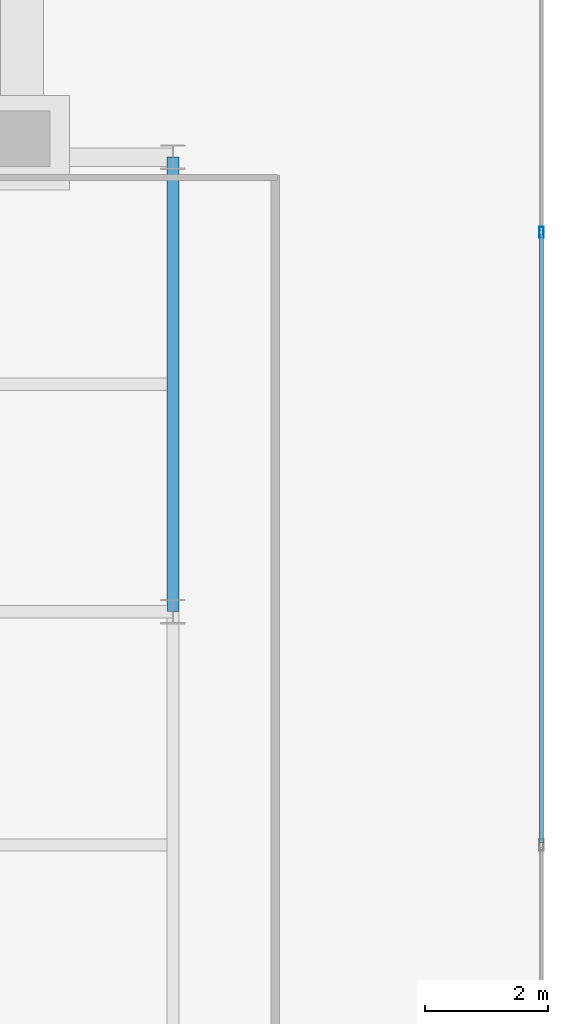
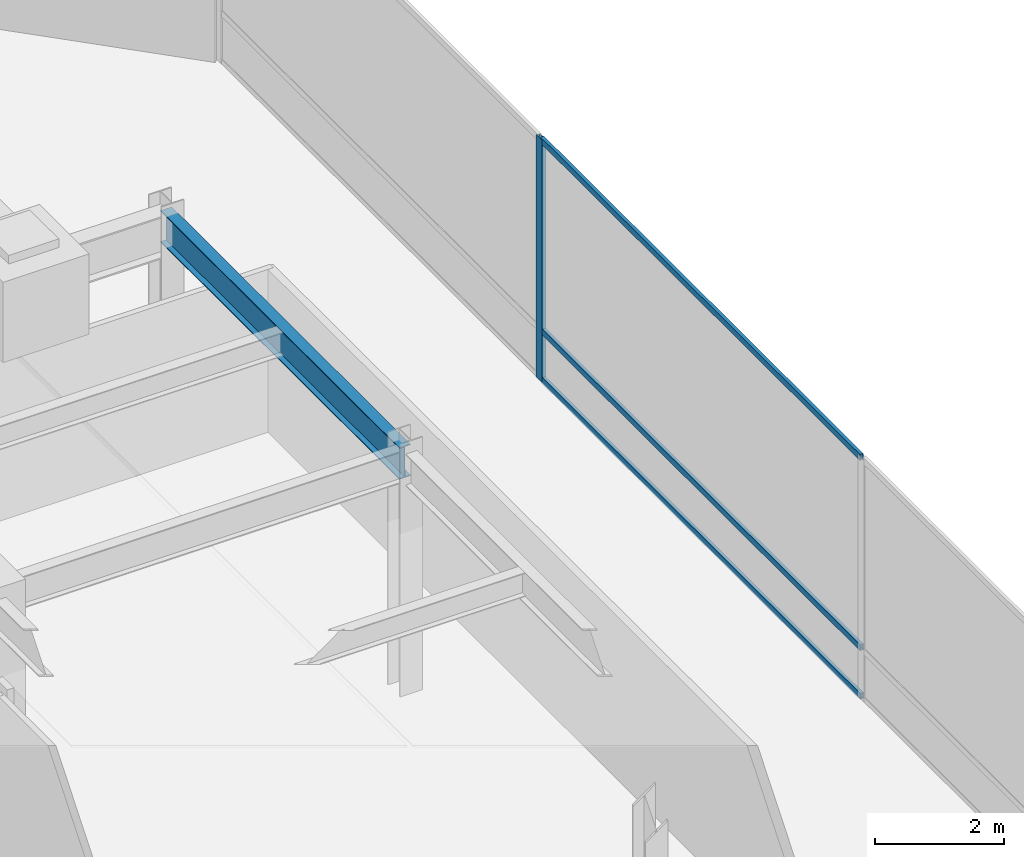
# One storey, part 28 of 45: 4 members, 1 beam, 1 element without a shape of its own.
"""IFC4 building model written with IfcOpenShell, lengths in metres."""

from ifc_helpers import new_model, si_unit, direction, frame, origin, origin_2d, place, context, subcontext, project, spatial, hollow_rectangle, i_section, extrude, material, layer, layer_set, material_profile, profile_set, type_object, element, aggregate, save


model = new_model("IFC4")

# Units and contexts
model_context = context("Model", 3, precision=1e-05, world=origin(), true_north=direction((0.0, 1.0)))
body_context = subcontext(model_context, "Body", "Model", "MODEL_VIEW")
ifc_project = project(units=[si_unit("LENGTHUNIT", "METRE"), si_unit("AREAUNIT", "SQUARE_METRE"), si_unit("VOLUMEUNIT", "CUBIC_METRE"), si_unit("PLANEANGLEUNIT", "RADIAN"), si_unit("MASSUNIT", "GRAM", prefix="KILO")], contexts=[model_context])

# Site, building, storey
site_placement = place(None, origin())
site = spatial("IfcSite", under=ifc_project, at=site_placement, CompositionType="ELEMENT")
building_placement = place(site_placement, origin())
building = spatial("IfcBuilding", under=site, at=building_placement, Name="Qianvela Tower", CompositionType="ELEMENT")
storey_placement = place(building_placement, frame((0.0, 0.0, 11.0)))
storey = spatial("IfcBuildingStorey", under=building, at=storey_placement, Name="L02", CompositionType="ELEMENT", Elevation=11.0)

# Beam
ifc_material_1 = material(Name="Steel Q355B", Category="steel")
ifc_material_profile_1 = material_profile(ifc_material_1, i_section(OverallWidth=0.199951171875, OverallDepth=0.60009765625, WebThickness=0.010986328125, FlangeThickness=0.01708984375, at=origin_2d()), Name="HN600x200x11x17")
ifc_profile_set_1 = profile_set([ifc_material_profile_1], Name="Steel Q355B")
beam_type = type_object("IfcBeamType", Name="BM-HN600-GIRD", PredefinedType="BEAM", material=ifc_profile_set_1)
beam_placement = place(storey_placement, frame((67.5, 29.800048828125, 4.278076171875), z_axis=(0.0, 1.0, 0.0), x_axis=(-1.0, 0.0, 0.0)))
element("IfcBeam", 1, at=beam_placement, inside=storey, type_object=beam_type, Name="L02 North-South Grid Girder 34", PredefinedType="BEAM", context=body_context, shape_type="SweptSolid", body=[
    extrude(i_section(OverallWidth=0.199951171875, OverallDepth=0.60009765625, WebThickness=0.010986328125, FlangeThickness=0.01708984375, at=origin_2d()), origin(), (0.0, 0.0, 1.0), 7.39990234375),
])

# Curtain wall, members
ifc_material_2 = material(Name="Anodised Architectural Aluminium and Low-E Glass", Category="aluminium")
ifc_layer = layer(ifc_material_2, 0.179931640625)
ifc_layer_set = layer_set([ifc_layer], Name="Anodised Architectural Aluminium and Low-E Glass")
curtain_wall_type = type_object("IfcCurtainWallType", Name="CW-COMMONS", PredefinedType="USERDEFINED", material=ifc_layer_set)
curtain_wall_placement = place(storey_placement, origin())
curtain_wall = element("IfcCurtainWall", 2, at=curtain_wall_placement, inside=storey, type_object=curtain_wall_type, Name="L02 CW-COMMONS Curtain Wall 03", ObjectType="CURTAIN_WALL_SYSTEM", PredefinedType="USERDEFINED")
ifc_material_3 = material(Name="Anodised Architectural Aluminium 6063-T6", Category="aluminium")
ifc_material_profile_2 = material_profile(ifc_material_3, hollow_rectangle(XDim=0.070068359375, YDim=0.179931640625, WallThickness=0.0048828125, at=origin_2d()), Name="ALU-MULL-70x180")
ifc_profile_set_2 = profile_set([ifc_material_profile_2], Name="Anodised Architectural Aluminium 6063-T6")
member_type_1 = type_object("IfcMemberType", Name="CW-COMMONS-MULL", PredefinedType="MULLION", material=ifc_profile_set_2)
member_1_placement = place(storey_placement, frame((73.5, 35.97509765625, 0.0), z_axis=(0.0, 0.0, 1.0), x_axis=(-1.0, 0.0, 0.0)))
member_1 = element("IfcMember", 3, at=member_1_placement, type_object=member_type_1, Name="CW-2 mullion 4", PredefinedType="MULLION", context=body_context, shape_type="SweptSolid", body=[
    extrude(hollow_rectangle(XDim=0.070068359375, YDim=0.179931640625, WallThickness=0.0048828125, at=origin_2d()), origin(), (0.0, 0.0, 1.0), 4.580078125),
])
ifc_material_4 = material(Name="Anodised Architectural Aluminium 6063-T6", Category="aluminium")
ifc_material_profile_3 = material_profile(ifc_material_4, hollow_rectangle(XDim=0.06005859375, YDim=0.114990234375, WallThickness=0.00390625, at=origin_2d()), Name="ALU-TRAN-60x115")
ifc_profile_set_3 = profile_set([ifc_material_profile_3], Name="Anodised Architectural Aluminium 6063-T6")
member_type_2 = type_object("IfcMemberType", Name="CW-COMMONS-TRAN", PredefinedType="USERDEFINED", material=ifc_profile_set_3)
member_2_placement = place(storey_placement, frame((73.5, 26.034912109375, 0.030029296875), z_axis=(0.0, 1.0, 0.0), x_axis=(-1.0, 0.0, 0.0)))
member_2 = element("IfcMember", 4, at=member_2_placement, type_object=member_type_2, Name="CW-2 transom 3.1", ObjectType="TRANSOM", PredefinedType="USERDEFINED", context=body_context, shape_type="SweptSolid", body=[
    extrude(hollow_rectangle(XDim=0.06005859375, YDim=0.114990234375, WallThickness=0.00390625, at=origin_2d()), origin(), (0.0, 0.0, 1.0), 9.905029296875),
])
member_3_placement = place(storey_placement, frame((73.5, 26.034912109375, 0.949951171875), z_axis=(0.0, 1.0, 0.0), x_axis=(-1.0, 0.0, 0.0)))
member_3 = element("IfcMember", 5, at=member_3_placement, type_object=member_type_2, Name="CW-2 transom 3.2", ObjectType="TRANSOM", PredefinedType="USERDEFINED", context=body_context, shape_type="SweptSolid", body=[
    extrude(hollow_rectangle(XDim=0.06005859375, YDim=0.114990234375, WallThickness=0.00390625, at=origin_2d()), origin(), (0.0, 0.0, 1.0), 9.905029296875),
])
member_4_placement = place(storey_placement, frame((73.5, 26.034912109375, 4.550048828125), z_axis=(0.0, 1.0, 0.0), x_axis=(-1.0, 0.0, 0.0)))
member_4 = element("IfcMember", 6, at=member_4_placement, type_object=member_type_2, Name="CW-2 transom 3.3", ObjectType="TRANSOM", PredefinedType="USERDEFINED", context=body_context, shape_type="SweptSolid", body=[
    extrude(hollow_rectangle(XDim=0.06005859375, YDim=0.114990234375, WallThickness=0.00390625, at=origin_2d()), origin(), (0.0, 0.0, 1.0), 9.905029296875),
])
aggregate(curtain_wall, [member_1, member_2, member_3, member_4])

save(model, "model.ifc")
